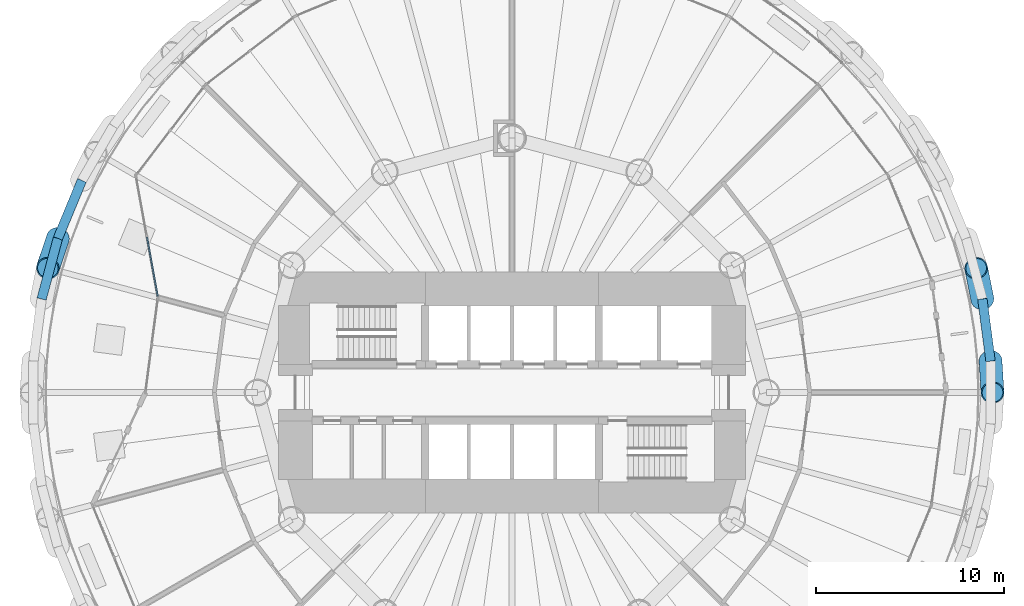
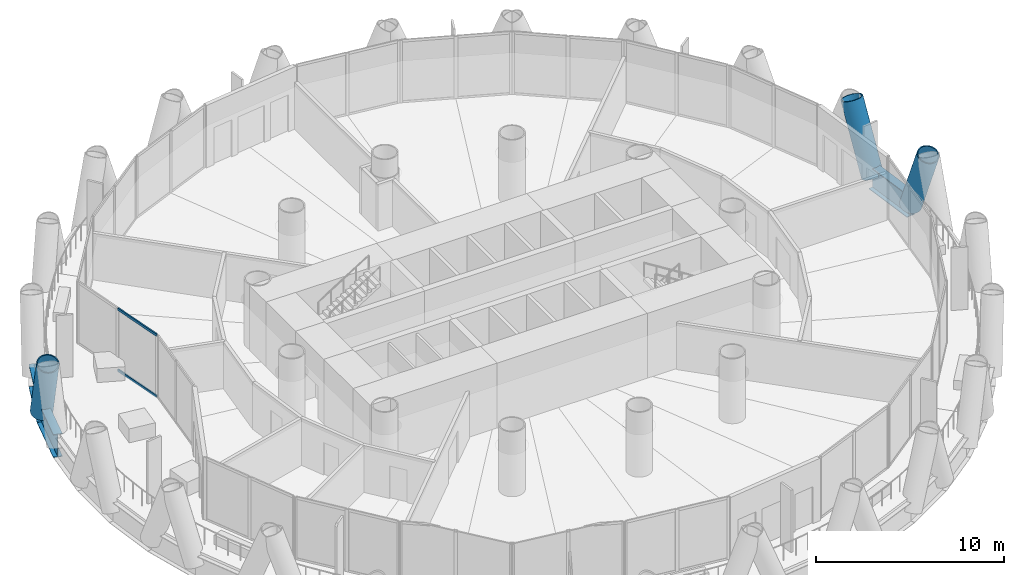
# One storey, part 5 of 15: 5 members, 3 beams, 1 element without a shape of its own.
"""IFC4 building model written with IfcOpenShell, lengths in metres."""

from ifc_helpers import new_model, si_unit, direction, frame, origin, origin_2d, place, context, subcontext, project, spatial, rectangle, hollow_circle, i_section, extrude, material, material_profile, profile_set, type_object, element, aggregate, save


model = new_model("IFC4")

# Units and contexts
model_context = context("Model", 3, precision=1e-05, world=origin(), true_north=direction((0.0, 1.0)))
body_context = subcontext(model_context, "Body", "Model", "MODEL_VIEW")
ifc_project = project(units=[si_unit("LENGTHUNIT", "METRE"), si_unit("AREAUNIT", "SQUARE_METRE"), si_unit("VOLUMEUNIT", "CUBIC_METRE"), si_unit("PLANEANGLEUNIT", "RADIAN"), si_unit("MASSUNIT", "GRAM", prefix="KILO")], contexts=[model_context])

# Site, building, storey
site_placement = place(None, origin())
site = spatial("IfcSite", under=ifc_project, at=site_placement, CompositionType="ELEMENT")
building_placement = place(site_placement, origin())
building = spatial("IfcBuilding", under=site, at=building_placement, Name="Qaws Media Tower", CompositionType="ELEMENT")
storey_placement = place(building_placement, frame((0.0, 0.0, 72.199951171875)))
storey = spatial("IfcBuildingStorey", under=building, at=storey_placement, Name="L15", CompositionType="ELEMENT", Elevation=72.199951171875)

# Curtain wall, members
ifc_material_1 = material(Name="Aluminium and clear glass", Category="aluminium")
curtain_wall_type = type_object("IfcCurtainWallType", Name="Loggia curtain wall CW-G", PredefinedType="NOTDEFINED", material=ifc_material_1)
curtain_wall_placement = place(storey_placement, origin())
curtain_wall = element("IfcCurtainWall", 1, at=curtain_wall_placement, inside=storey, type_object=curtain_wall_type, Name="CWG curtain wall L15-11", PredefinedType="NOTDEFINED")
ifc_material_2 = material(Name="Aluminium transom", Category="aluminium")
ifc_material_profile_1 = material_profile(ifc_material_2, rectangle(XDim=0.080078125, YDim=0.159912109375, at=origin_2d()), Name="80x160")
ifc_profile_set_1 = profile_set([ifc_material_profile_1], Name="Aluminium transom")
member_type_1 = type_object("IfcMemberType", Name="Curtain wall transom 80x160", PredefinedType="USERDEFINED", material=ifc_profile_set_1)
member_1_placement = place(storey_placement, frame((40.632568359375, 58.240234375, 0.0400390625), z_axis=(0.17806067329, -0.984019510288, 0.0), x_axis=(0.984019510288, 0.17806067329, 0.0)))
member_1 = element("IfcMember", 2, at=member_1_placement, type_object=member_type_1, Name="CWG transom 2.1", ObjectType="TRANSOM", PredefinedType="USERDEFINED", context=body_context, shape_type="SweptSolid", body=[
    extrude(rectangle(XDim=0.080078125, YDim=0.159912109375, at=origin_2d()), origin(), (0.0, 0.0, 1.0), 3.17822265625),
])
member_2_placement = place(storey_placement, frame((40.632568359375, 58.240234375, 4.0), z_axis=(0.17806067329, -0.984019510288, 0.0), x_axis=(0.984019510288, 0.17806067329, 0.0)))
member_2 = element("IfcMember", 3, at=member_2_placement, type_object=member_type_1, Name="CWG transom 2.2", ObjectType="TRANSOM", PredefinedType="USERDEFINED", context=body_context, shape_type="SweptSolid", body=[
    extrude(rectangle(XDim=0.080078125, YDim=0.159912109375, at=origin_2d()), origin(), (0.0, 0.0, 1.0), 3.17822265625),
])
aggregate(curtain_wall, [member_1, member_2])

# Members
ifc_material_3 = material(Name="Steel S460", Category="steel")
ifc_material_profile_2 = material_profile(ifc_material_3, hollow_circle(Radius=0.609619140625, WallThickness=0.06005859375, at=origin_2d()), Name="CHS 1219x60")
ifc_profile_set_2 = profile_set([ifc_material_profile_2], Name="Steel S460")
member_type_2 = type_object("IfcMemberType", Name="Diagrid member CHS 1219x60", PredefinedType="USERDEFINED", material=ifc_profile_set_2)
for number, where, z_axis, x_axis, name in (
    (4, (84.9609375, 54.965087890625, -0.909912109375), (-0.072989201231, 0.36175846887, 0.929410235958), (-0.980247069572, -0.197776850506, 0.0), "DG1 diagrid L15 A01"),
    (5, (85.3955078125, 51.66455078125, -0.909912109375), (0.023122926042, -0.368346050821, 0.929401160498), (0.998035453592, 0.062651682918, 0.0), "DG1 diagrid L15 B01"),
    (6, (35.900634765625, 58.1806640625, -0.909912109375), (-0.117667428384, -0.349814783649, 0.929399802797), (0.94781611288, -0.318817528008, 0.0), "DG1 diagrid L15 A11"),
):
    element("IfcMember", number, at=place(storey_placement, frame(where, z_axis=z_axis, x_axis=x_axis)), inside=storey, type_object=member_type_2, Name=name, ObjectType="DIAGRID", PredefinedType="USERDEFINED", context=body_context, shape_type="SweptSolid", body=[
        extrude(hollow_circle(Radius=0.609619140625, WallThickness=0.06005859375, at=origin_2d()), origin(), (0.0, 0.0, 1.0), 4.51904296875),
    ])

# Beams
ifc_material_4 = material(Name="Steel S460", Category="steel")
ifc_material_profile_3 = material_profile(ifc_material_4, i_section(OverallWidth=0.5, OverallDepth=1.5, WebThickness=0.02001953125, FlangeThickness=0.0400390625, at=origin_2d()), Name="PG 1500x500")
ifc_profile_set_3 = profile_set([ifc_material_profile_3], Name="Steel S460")
beam_type = type_object("IfcBeamType", Name="Edge ring beam PG 1500x500", PredefinedType="BEAM", material=ifc_profile_set_3)
for number, where, z_axis, x_axis, name in (
    (7, (85.3955078125, 51.66455078125, -0.909912109375), (-0.130539880563, 0.991443059173, 0.0), (-0.991443059173, -0.130539880563, 0.0), "RB4 edge ring beam L15-01"),
    (8, (37.174560546875, 61.25634765625, -0.909912109375), (-0.382667003395, -0.923886337442, 0.0), (0.923886337442, -0.382667003395, 0.0), "RB4 edge ring beam L15-21"),
    (9, (35.900634765625, 58.1806640625, -0.909912109375), (-0.258808178295, -0.965928737976, 0.0), (0.965928737976, -0.258808178295, 0.0), "RB4 edge ring beam L15-22"),
):
    element("IfcBeam", number, at=place(storey_placement, frame(where, z_axis=z_axis, x_axis=x_axis)), inside=storey, type_object=beam_type, Name=name, PredefinedType="BEAM", context=body_context, shape_type="SweptSolid", body=[
        extrude(i_section(OverallWidth=0.5, OverallDepth=1.5, WebThickness=0.02001953125, FlangeThickness=0.0400390625, at=origin_2d()), origin(), (0.0, 0.0, 1.0), 3.3291015625),
    ])

save(model, "model.ifc")
